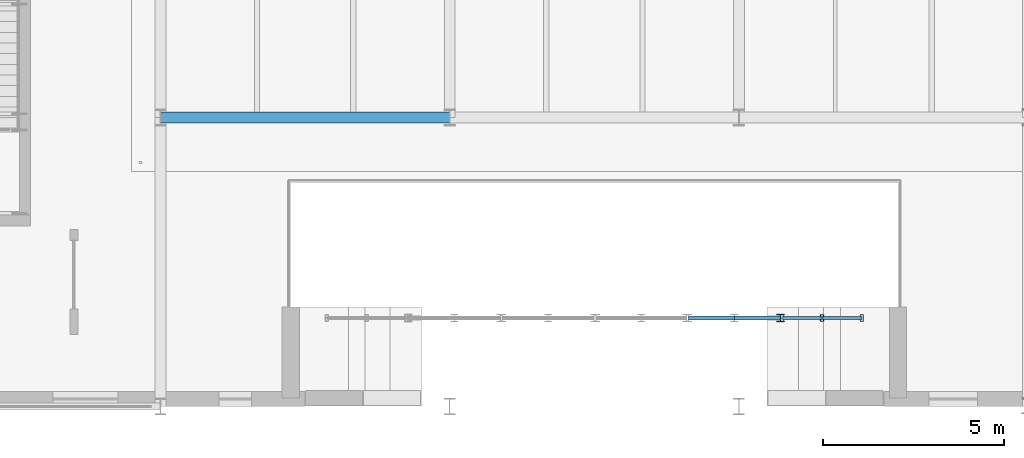
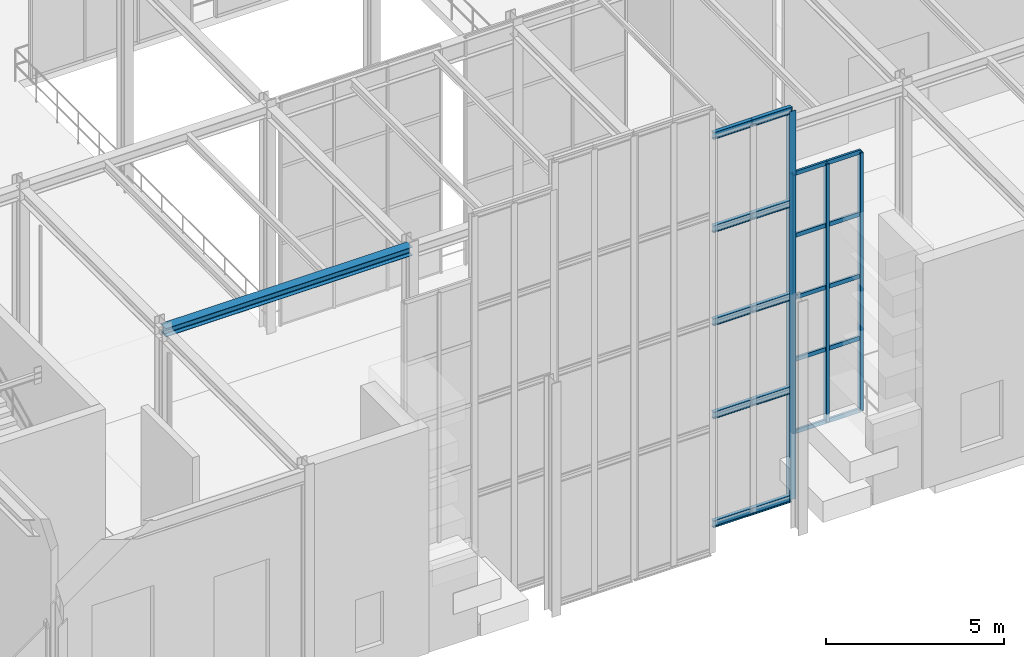
# One storey, part 66 of 138: 24 members, 1 beam, 2 elements without a shape of their own.
"""IFC4 building model written with IfcOpenShell, lengths in metres."""

from ifc_helpers import new_model, si_unit, direction, frame, origin, origin_2d, place, context, subcontext, project, spatial, hollow_rectangle, i_section, extrude, material, material_profile, profile_set, type_object, element, aggregate, save


model = new_model("IFC4")

# Units and contexts
model_context = context("Model", 3, precision=1e-05, world=origin(), true_north=direction((0.0, 1.0)))
body_context = subcontext(model_context, "Body", "Model", "MODEL_VIEW")
ifc_project = project(units=[si_unit("LENGTHUNIT", "METRE"), si_unit("AREAUNIT", "SQUARE_METRE"), si_unit("VOLUMEUNIT", "CUBIC_METRE"), si_unit("PLANEANGLEUNIT", "RADIAN"), si_unit("MASSUNIT", "GRAM", prefix="KILO")], contexts=[model_context])

# Site, building, storey
site_placement = place(None, origin())
site = spatial("IfcSite", under=ifc_project, at=site_placement, CompositionType="ELEMENT")
building_placement = place(site_placement, origin())
building = spatial("IfcBuilding", under=site, at=building_placement, Name="Sundkrona Museum", CompositionType="ELEMENT")
storey_placement = place(building_placement, frame((0.0, 0.0, 9.60009765625)))
storey = spatial("IfcBuildingStorey", under=building, at=storey_placement, Name="L02", CompositionType="ELEMENT", Elevation=9.60009765625)

# Beam
ifc_material_1 = material(Name="Steel S355J2", Category="steel")
ifc_material_profile_1 = material_profile(ifc_material_1, i_section(OverallWidth=0.300048828125, OverallDepth=0.2900390625, WebThickness=0.008544921875, FlangeThickness=0.013916015625, FilletRadius=0.027099609375, at=origin_2d()), Name="HEA 300")
ifc_profile_set_1 = profile_set([ifc_material_profile_1], Name="Steel S355J2")
beam_type = type_object("IfcBeamType", Name="B-HEA300", PredefinedType="BEAM", material=ifc_profile_set_1)
beam_placement = place(storey_placement, frame((128.0, 8.0, 7.614990234375), z_axis=(1.0, 0.0, 0.0), x_axis=(0.0, 1.0, 0.0)))
element("IfcBeam", 1, at=beam_placement, inside=storey, type_object=beam_type, Name="L02 Girder X-1134", PredefinedType="BEAM", context=body_context, shape_type="SweptSolid", body=[
    extrude(i_section(OverallWidth=0.300048828125, OverallDepth=0.2900390625, WebThickness=0.008544921875, FlangeThickness=0.013916015625, FilletRadius=0.027099609375, at=origin_2d()), origin(), (0.0, 0.0, 1.0), 8.0),
])

# Curtain wall, members
ifc_material_2 = material(Name="Unitised Aluminium-Steel and Ceramic-Clad Curtain Walling", Category="steel")
curtain_wall_type_1 = type_object("IfcCurtainWallType", Name="CW-OC-96x34", PredefinedType="NOTDEFINED", material=ifc_material_2)
curtain_wall_1_placement = place(storey_placement, origin())
curtain_wall_1 = element("IfcCurtainWall", 2, at=curtain_wall_1_placement, inside=storey, type_object=curtain_wall_type_1, Name="South Avenue Giant Round Window Glazing Strip 06", PredefinedType="NOTDEFINED")
ifc_material_3 = material(Name="Aluminium EN AW-6060 T66", Category="aluminium")
ifc_material_profile_2 = material_profile(ifc_material_3, hollow_rectangle(XDim=0.090087890625, YDim=0.179931640625, WallThickness=0.00634765625, at=origin_2d()), Name="RHS 180x90x6.3")
ifc_profile_set_2 = profile_set([ifc_material_profile_2], Name="Aluminium EN AW-6060 T66")
member_type_1 = type_object("IfcMemberType", Name="ML-180", PredefinedType="MULLION", material=ifc_profile_set_2)
member_1_placement = place(storey_placement, frame((145.199951171875, 2.449951171875, 1.472900390625), z_axis=(0.0, 0.0, 1.0), x_axis=(1.0, 0.0, 0.0)))
member_1 = element("IfcMember", 3, at=member_1_placement, type_object=member_type_1, Name="CW-OC-RND-06 Mullion 01", PredefinedType="MULLION", context=body_context, shape_type="SweptSolid", body=[
    extrude(hollow_rectangle(XDim=0.090087890625, YDim=0.179931640625, WallThickness=0.00634765625, at=origin_2d()), origin(), (0.0, 0.0, 1.0), 8.85400390625),
])
member_2_placement = place(storey_placement, frame((146.300048828125, 2.449951171875, 1.472900390625), z_axis=(0.0, 0.0, 1.0), x_axis=(1.0, 0.0, 0.0)))
member_2 = element("IfcMember", 4, at=member_2_placement, type_object=member_type_1, Name="CW-OC-RND-06 Mullion 02", PredefinedType="MULLION", context=body_context, shape_type="SweptSolid", body=[
    extrude(hollow_rectangle(XDim=0.090087890625, YDim=0.179931640625, WallThickness=0.00634765625, at=origin_2d()), origin(), (0.0, 0.0, 1.0), 8.85400390625),
])
member_3_placement = place(storey_placement, frame((147.39990234375, 2.449951171875, 1.472900390625), z_axis=(0.0, 0.0, 1.0), x_axis=(1.0, 0.0, 0.0)))
member_3 = element("IfcMember", 5, at=member_3_placement, type_object=member_type_1, Name="CW-OC-RND-06 Mullion 03", PredefinedType="MULLION", context=body_context, shape_type="SweptSolid", body=[
    extrude(hollow_rectangle(XDim=0.090087890625, YDim=0.179931640625, WallThickness=0.00634765625, at=origin_2d()), origin(), (0.0, 0.0, 1.0), 8.85400390625),
])

# Curtain wall, member
curtain_wall_type_2 = type_object("IfcCurtainWallType", Name="CW-OC-74x72", PredefinedType="NOTDEFINED", material=ifc_material_2)
curtain_wall_2_placement = place(storey_placement, origin())
curtain_wall_2 = element("IfcCurtainWall", 6, at=curtain_wall_2_placement, inside=storey, type_object=curtain_wall_type_2, Name="South Avenue Giant Round Window Glazing Strip 05", PredefinedType="NOTDEFINED")
ifc_material_profile_3 = material_profile(ifc_material_1, i_section(OverallWidth=0.199951171875, OverallDepth=0.199951171875, WebThickness=0.009033203125, FlangeThickness=0.014892578125, FilletRadius=0.01806640625, at=origin_2d()), Name="HEB 200")
ifc_profile_set_3 = profile_set([ifc_material_profile_3], Name="Steel S355J2")
member_type_2 = type_object("IfcMemberType", Name="ML-HEB200", PredefinedType="MULLION", material=ifc_profile_set_3)
member_4_placement = place(storey_placement, frame((145.14990234375, 2.449951171875, -0.754150390625), z_axis=(0.0, 0.0, 1.0), x_axis=(1.0, 0.0, 0.0)))
member_4 = element("IfcMember", 7, at=member_4_placement, type_object=member_type_2, Name="CW-OC-RND-05 Mullion 03", PredefinedType="MULLION", context=body_context, shape_type="SweptSolid", body=[
    extrude(i_section(OverallWidth=0.199951171875, OverallDepth=0.199951171875, WebThickness=0.009033203125, FlangeThickness=0.014892578125, FilletRadius=0.01806640625, at=origin_2d()), origin(), (0.0, 0.0, 1.0), 13.30810546875),
])

# Member
ifc_material_profile_4 = material_profile(ifc_material_3, hollow_rectangle(XDim=0.070068359375, YDim=0.139892578125, WallThickness=0.0048828125, at=origin_2d()), Name="RHS 140x70x5.0")
ifc_profile_set_4 = profile_set([ifc_material_profile_4], Name="Aluminium EN AW-6060 T66")
member_type_3 = type_object("IfcMemberType", Name="TR-140", PredefinedType="USERDEFINED", material=ifc_profile_set_4)
member_5_placement = place(storey_placement, frame((145.199951171875, 2.449951171875, 1.472900390625), z_axis=(1.0, 0.0, 0.0), x_axis=(0.0, 1.0, 0.0)))
member_5 = element("IfcMember", 8, at=member_5_placement, type_object=member_type_3, Name="CW-OC-RND-06 Transom 01", ObjectType="TRANSOM", PredefinedType="USERDEFINED", context=body_context, shape_type="SweptSolid", body=[
    extrude(hollow_rectangle(XDim=0.070068359375, YDim=0.139892578125, WallThickness=0.0048828125, at=origin_2d()), origin(), (0.0, 0.0, 1.0), 1.10009765625),
])

member_6_placement = place(storey_placement, frame((145.199951171875, 2.449951171875, 3.951904296875), z_axis=(1.0, 0.0, 0.0), x_axis=(0.0, 1.0, 0.0)))
member_6 = element("IfcMember", 9, at=member_6_placement, type_object=member_type_3, Name="CW-OC-RND-06 Transom 02", ObjectType="TRANSOM", PredefinedType="USERDEFINED", context=body_context, shape_type="SweptSolid", body=[
    extrude(hollow_rectangle(XDim=0.070068359375, YDim=0.139892578125, WallThickness=0.0048828125, at=origin_2d()), origin(), (0.0, 0.0, 1.0), 1.10009765625),
])

member_7_placement = place(storey_placement, frame((145.199951171875, 2.449951171875, 6.076904296875), z_axis=(1.0, 0.0, 0.0), x_axis=(0.0, 1.0, 0.0)))
member_7 = element("IfcMember", 10, at=member_7_placement, type_object=member_type_3, Name="CW-OC-RND-06 Transom 03", ObjectType="TRANSOM", PredefinedType="USERDEFINED", context=body_context, shape_type="SweptSolid", body=[
    extrude(hollow_rectangle(XDim=0.070068359375, YDim=0.139892578125, WallThickness=0.0048828125, at=origin_2d()), origin(), (0.0, 0.0, 1.0), 1.10009765625),
])

member_8_placement = place(storey_placement, frame((145.199951171875, 2.449951171875, 8.201904296875), z_axis=(1.0, 0.0, 0.0), x_axis=(0.0, 1.0, 0.0)))
member_8 = element("IfcMember", 11, at=member_8_placement, type_object=member_type_3, Name="CW-OC-RND-06 Transom 04", ObjectType="TRANSOM", PredefinedType="USERDEFINED", context=body_context, shape_type="SweptSolid", body=[
    extrude(hollow_rectangle(XDim=0.070068359375, YDim=0.139892578125, WallThickness=0.0048828125, at=origin_2d()), origin(), (0.0, 0.0, 1.0), 1.10009765625),
])

member_9_placement = place(storey_placement, frame((145.199951171875, 2.449951171875, 10.326904296875), z_axis=(1.0, 0.0, 0.0), x_axis=(0.0, 1.0, 0.0)))
member_9 = element("IfcMember", 12, at=member_9_placement, type_object=member_type_3, Name="CW-OC-RND-06 Transom 05", ObjectType="TRANSOM", PredefinedType="USERDEFINED", context=body_context, shape_type="SweptSolid", body=[
    extrude(hollow_rectangle(XDim=0.070068359375, YDim=0.139892578125, WallThickness=0.0048828125, at=origin_2d()), origin(), (0.0, 0.0, 1.0), 1.10009765625),
])

member_10_placement = place(storey_placement, frame((146.300048828125, 2.449951171875, 1.472900390625), z_axis=(1.0, 0.0, 0.0), x_axis=(0.0, 1.0, 0.0)))
member_10 = element("IfcMember", 13, at=member_10_placement, type_object=member_type_3, Name="CW-OC-RND-06 Transom 06", ObjectType="TRANSOM", PredefinedType="USERDEFINED", context=body_context, shape_type="SweptSolid", body=[
    extrude(hollow_rectangle(XDim=0.070068359375, YDim=0.139892578125, WallThickness=0.0048828125, at=origin_2d()), origin(), (0.0, 0.0, 1.0), 1.099853515625),
])

member_11_placement = place(storey_placement, frame((146.300048828125, 2.449951171875, 3.951904296875), z_axis=(1.0, 0.0, 0.0), x_axis=(0.0, 1.0, 0.0)))
member_11 = element("IfcMember", 14, at=member_11_placement, type_object=member_type_3, Name="CW-OC-RND-06 Transom 07", ObjectType="TRANSOM", PredefinedType="USERDEFINED", context=body_context, shape_type="SweptSolid", body=[
    extrude(hollow_rectangle(XDim=0.070068359375, YDim=0.139892578125, WallThickness=0.0048828125, at=origin_2d()), origin(), (0.0, 0.0, 1.0), 1.099853515625),
])

member_12_placement = place(storey_placement, frame((146.300048828125, 2.449951171875, 6.076904296875), z_axis=(1.0, 0.0, 0.0), x_axis=(0.0, 1.0, 0.0)))
member_12 = element("IfcMember", 15, at=member_12_placement, type_object=member_type_3, Name="CW-OC-RND-06 Transom 08", ObjectType="TRANSOM", PredefinedType="USERDEFINED", context=body_context, shape_type="SweptSolid", body=[
    extrude(hollow_rectangle(XDim=0.070068359375, YDim=0.139892578125, WallThickness=0.0048828125, at=origin_2d()), origin(), (0.0, 0.0, 1.0), 1.099853515625),
])

member_13_placement = place(storey_placement, frame((146.300048828125, 2.449951171875, 8.201904296875), z_axis=(1.0, 0.0, 0.0), x_axis=(0.0, 1.0, 0.0)))
member_13 = element("IfcMember", 16, at=member_13_placement, type_object=member_type_3, Name="CW-OC-RND-06 Transom 09", ObjectType="TRANSOM", PredefinedType="USERDEFINED", context=body_context, shape_type="SweptSolid", body=[
    extrude(hollow_rectangle(XDim=0.070068359375, YDim=0.139892578125, WallThickness=0.0048828125, at=origin_2d()), origin(), (0.0, 0.0, 1.0), 1.099853515625),
])

member_14_placement = place(storey_placement, frame((146.300048828125, 2.449951171875, 10.326904296875), z_axis=(1.0, 0.0, 0.0), x_axis=(0.0, 1.0, 0.0)))
member_14 = element("IfcMember", 17, at=member_14_placement, type_object=member_type_3, Name="CW-OC-RND-06 Transom 10", ObjectType="TRANSOM", PredefinedType="USERDEFINED", context=body_context, shape_type="SweptSolid", body=[
    extrude(hollow_rectangle(XDim=0.070068359375, YDim=0.139892578125, WallThickness=0.0048828125, at=origin_2d()), origin(), (0.0, 0.0, 1.0), 1.099853515625),
])

aggregate(curtain_wall_1, [member_1, member_2, member_3, member_5, member_6, member_7, member_8, member_9, member_10, member_11, member_12, member_13, member_14])

ifc_material_profile_5 = material_profile(ifc_material_1, i_section(OverallWidth=0.1201171875, OverallDepth=0.239990234375, WebThickness=0.006103515625, FlangeThickness=0.009765625, FilletRadius=0.014892578125, at=origin_2d()), Name="IPE 240")
ifc_profile_set_5 = profile_set([ifc_material_profile_5], Name="Steel S355J2")
member_type_4 = type_object("IfcMemberType", Name="TR-IPE220", PredefinedType="USERDEFINED", material=ifc_profile_set_5)
member_15_placement = place(storey_placement, frame((142.60009765625, 2.449951171875, -0.754150390625), z_axis=(1.0, 0.0, 0.0), x_axis=(0.0, 1.0, 0.0)))
member_15 = element("IfcMember", 18, at=member_15_placement, type_object=member_type_4, Name="CW-OC-RND-05 Transom 01", ObjectType="TRANSOM", PredefinedType="USERDEFINED", context=body_context, shape_type="SweptSolid", body=[
    extrude(i_section(OverallWidth=0.1201171875, OverallDepth=0.239990234375, WebThickness=0.006103515625, FlangeThickness=0.009765625, FilletRadius=0.014892578125, at=origin_2d()), origin(), (0.0, 0.0, 1.0), 1.27490234375),
])

member_16_placement = place(storey_placement, frame((142.60009765625, 2.449951171875, 2.971923828125), z_axis=(1.0, 0.0, 0.0), x_axis=(0.0, 1.0, 0.0)))
member_16 = element("IfcMember", 19, at=member_16_placement, type_object=member_type_4, Name="CW-OC-RND-05 Transom 02", ObjectType="TRANSOM", PredefinedType="USERDEFINED", context=body_context, shape_type="SweptSolid", body=[
    extrude(i_section(OverallWidth=0.1201171875, OverallDepth=0.239990234375, WebThickness=0.006103515625, FlangeThickness=0.009765625, FilletRadius=0.014892578125, at=origin_2d()), origin(), (0.0, 0.0, 1.0), 1.27490234375),
])

member_17_placement = place(storey_placement, frame((142.60009765625, 2.449951171875, 6.166015625), z_axis=(1.0, 0.0, 0.0), x_axis=(0.0, 1.0, 0.0)))
member_17 = element("IfcMember", 20, at=member_17_placement, type_object=member_type_4, Name="CW-OC-RND-05 Transom 03", ObjectType="TRANSOM", PredefinedType="USERDEFINED", context=body_context, shape_type="SweptSolid", body=[
    extrude(i_section(OverallWidth=0.1201171875, OverallDepth=0.239990234375, WebThickness=0.006103515625, FlangeThickness=0.009765625, FilletRadius=0.014892578125, at=origin_2d()), origin(), (0.0, 0.0, 1.0), 1.27490234375),
])

member_18_placement = place(storey_placement, frame((142.60009765625, 2.449951171875, 9.35986328125), z_axis=(1.0, 0.0, 0.0), x_axis=(0.0, 1.0, 0.0)))
member_18 = element("IfcMember", 21, at=member_18_placement, type_object=member_type_4, Name="CW-OC-RND-05 Transom 04", ObjectType="TRANSOM", PredefinedType="USERDEFINED", context=body_context, shape_type="SweptSolid", body=[
    extrude(i_section(OverallWidth=0.1201171875, OverallDepth=0.239990234375, WebThickness=0.006103515625, FlangeThickness=0.009765625, FilletRadius=0.014892578125, at=origin_2d()), origin(), (0.0, 0.0, 1.0), 1.27490234375),
])

member_19_placement = place(storey_placement, frame((142.60009765625, 2.449951171875, 12.553955078125), z_axis=(1.0, 0.0, 0.0), x_axis=(0.0, 1.0, 0.0)))
member_19 = element("IfcMember", 22, at=member_19_placement, type_object=member_type_4, Name="CW-OC-RND-05 Transom 05", ObjectType="TRANSOM", PredefinedType="USERDEFINED", context=body_context, shape_type="SweptSolid", body=[
    extrude(i_section(OverallWidth=0.1201171875, OverallDepth=0.239990234375, WebThickness=0.006103515625, FlangeThickness=0.009765625, FilletRadius=0.014892578125, at=origin_2d()), origin(), (0.0, 0.0, 1.0), 1.27490234375),
])

member_20_placement = place(storey_placement, frame((143.875, 2.449951171875, -0.754150390625), z_axis=(1.0, 0.0, 0.0), x_axis=(0.0, 1.0, 0.0)))
member_20 = element("IfcMember", 23, at=member_20_placement, type_object=member_type_4, Name="CW-OC-RND-05 Transom 06", ObjectType="TRANSOM", PredefinedType="USERDEFINED", context=body_context, shape_type="SweptSolid", body=[
    extrude(i_section(OverallWidth=0.1201171875, OverallDepth=0.239990234375, WebThickness=0.006103515625, FlangeThickness=0.009765625, FilletRadius=0.014892578125, at=origin_2d()), origin(), (0.0, 0.0, 1.0), 1.27490234375),
])

member_21_placement = place(storey_placement, frame((143.875, 2.449951171875, 2.971923828125), z_axis=(1.0, 0.0, 0.0), x_axis=(0.0, 1.0, 0.0)))
member_21 = element("IfcMember", 24, at=member_21_placement, type_object=member_type_4, Name="CW-OC-RND-05 Transom 07", ObjectType="TRANSOM", PredefinedType="USERDEFINED", context=body_context, shape_type="SweptSolid", body=[
    extrude(i_section(OverallWidth=0.1201171875, OverallDepth=0.239990234375, WebThickness=0.006103515625, FlangeThickness=0.009765625, FilletRadius=0.014892578125, at=origin_2d()), origin(), (0.0, 0.0, 1.0), 1.27490234375),
])

member_22_placement = place(storey_placement, frame((143.875, 2.449951171875, 6.166015625), z_axis=(1.0, 0.0, 0.0), x_axis=(0.0, 1.0, 0.0)))
member_22 = element("IfcMember", 25, at=member_22_placement, type_object=member_type_4, Name="CW-OC-RND-05 Transom 08", ObjectType="TRANSOM", PredefinedType="USERDEFINED", context=body_context, shape_type="SweptSolid", body=[
    extrude(i_section(OverallWidth=0.1201171875, OverallDepth=0.239990234375, WebThickness=0.006103515625, FlangeThickness=0.009765625, FilletRadius=0.014892578125, at=origin_2d()), origin(), (0.0, 0.0, 1.0), 1.27490234375),
])

member_23_placement = place(storey_placement, frame((143.875, 2.449951171875, 9.35986328125), z_axis=(1.0, 0.0, 0.0), x_axis=(0.0, 1.0, 0.0)))
member_23 = element("IfcMember", 26, at=member_23_placement, type_object=member_type_4, Name="CW-OC-RND-05 Transom 09", ObjectType="TRANSOM", PredefinedType="USERDEFINED", context=body_context, shape_type="SweptSolid", body=[
    extrude(i_section(OverallWidth=0.1201171875, OverallDepth=0.239990234375, WebThickness=0.006103515625, FlangeThickness=0.009765625, FilletRadius=0.014892578125, at=origin_2d()), origin(), (0.0, 0.0, 1.0), 1.27490234375),
])

member_24_placement = place(storey_placement, frame((143.875, 2.449951171875, 12.553955078125), z_axis=(1.0, 0.0, 0.0), x_axis=(0.0, 1.0, 0.0)))
member_24 = element("IfcMember", 27, at=member_24_placement, type_object=member_type_4, Name="CW-OC-RND-05 Transom 10", ObjectType="TRANSOM", PredefinedType="USERDEFINED", context=body_context, shape_type="SweptSolid", body=[
    extrude(i_section(OverallWidth=0.1201171875, OverallDepth=0.239990234375, WebThickness=0.006103515625, FlangeThickness=0.009765625, FilletRadius=0.014892578125, at=origin_2d()), origin(), (0.0, 0.0, 1.0), 1.27490234375),
])

aggregate(curtain_wall_2, [member_4, member_15, member_16, member_17, member_18, member_19, member_20, member_21, member_22, member_23, member_24])

save(model, "model.ifc")
